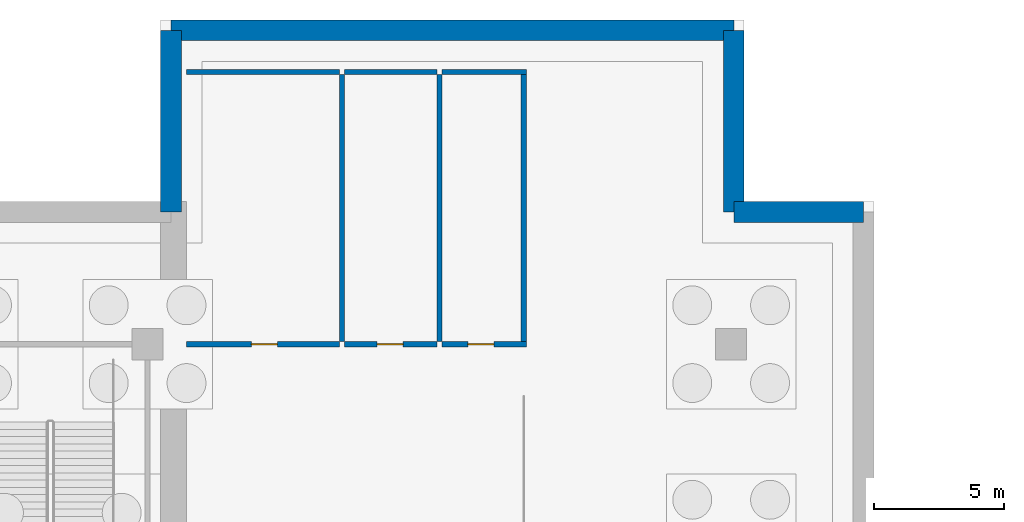
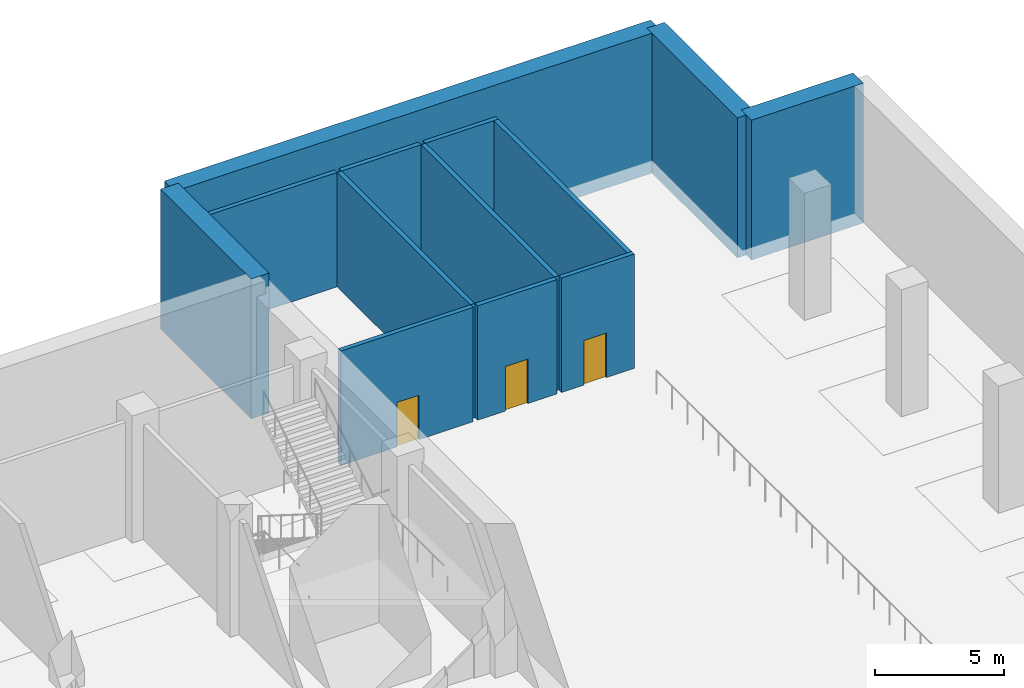
# One storey, part 15 of 39: 13 walls, 3 doors, 3 openings.
"""IFC4 building model written with IfcOpenShell, lengths in metres."""

from ifc_helpers import new_model, si_unit, direction, frame, frame_2d, origin, place, context, subcontext, project, spatial, rectangle, extrude, material, layer, layer_set, type_object, element, fill, save


model = new_model("IFC4")

# Units and contexts
model_context = context("Model", 3, precision=1e-05, world=origin(), true_north=direction((0.0, 1.0)))
body_context = subcontext(model_context, "Body", "Model", "MODEL_VIEW")
ifc_project = project(units=[si_unit("LENGTHUNIT", "METRE"), si_unit("AREAUNIT", "SQUARE_METRE"), si_unit("VOLUMEUNIT", "CUBIC_METRE"), si_unit("PLANEANGLEUNIT", "RADIAN"), si_unit("MASSUNIT", "GRAM", prefix="KILO")], contexts=[model_context])

# Site, building, storey
site_placement = place(None, origin())
site = spatial("IfcSite", under=ifc_project, at=site_placement, CompositionType="ELEMENT")
building_placement = place(site_placement, origin())
building = spatial("IfcBuilding", under=site, at=building_placement, Name="Tamorin Gate", CompositionType="ELEMENT")
storey_placement = place(building_placement, frame((0.0, 0.0, -12.0)))
storey = spatial("IfcBuildingStorey", under=building, at=storey_placement, Name="B2", CompositionType="ELEMENT", Elevation=-12.0)

# Wall, opening, door
ifc_material_1 = material(Name="Concrete masonry C20/25", Category="masonry")
ifc_layer_1 = layer(ifc_material_1, 0.199951171875)
ifc_layer_set_1 = layer_set([ifc_layer_1], Name="Plant room wall 200")
wall_type_1 = type_object("IfcWallType", Name="Plant room wall 200", PredefinedType="PARTITIONING", material=ifc_layer_set_1)
wall_1_placement = place(storey_placement, frame((96.89990234375, 112.0, 0.0), z_axis=(0.0, 0.0, 1.0), x_axis=(-1.0, 0.0, 0.0)))
wall_1 = element("IfcWall", 1, at=wall_1_placement, inside=storey, type_object=wall_type_1, Name="Plant room wall 200 B2", PredefinedType="PARTITIONING", context=body_context, shape_type="SweptSolid", body=[
    extrude(rectangle(XDim=5.89990234375, YDim=0.199951171875, at=frame_2d((2.949951171875, 0.0))), origin(), (0.0, 0.0, 1.0), 5.39990234375),
])
opening_1_placement = place(wall_1_placement, frame((2.39990234375, 0.0, 0.0)))
opening_1 = element("IfcOpeningElement", 2, at=opening_1_placement, cuts=wall_1, Name="Opening DP2", PredefinedType="OPENING", context=body_context, shape_type="SweptSolid", body=[
    extrude(rectangle(XDim=1.0, YDim=2.10009765625, at=frame_2d((0.5, 1.050048828125))), frame((0.0, 0.10986328125, 0.0), z_axis=(0.0, -1.0, 0.0), x_axis=(1.0, 0.0, 0.0)), (0.0, 0.0, 1.0), 0.219970703125),
])
ifc_material_2 = material(Name="Painted steel", Category="steel")
door_type = type_object("IfcDoorType", Name="Door single 1000", OperationType="SINGLE_SWING_LEFT", PredefinedType="DOOR", material=ifc_material_2)
door_1_placement = place(opening_1_placement, origin())
door_1 = element("IfcDoor", 3, at=door_1_placement, inside=storey, type_object=door_type, Name="Door single 1000 B2", OperationType="SINGLE_SWING_LEFT", OverallHeight=2.10009765625, OverallWidth=1.0, PredefinedType="DOOR", context=body_context, shape_type="SweptSolid", body=[
    extrude(rectangle(XDim=1.0, YDim=2.10009765625, at=frame_2d((0.5, 1.050048828125))), frame((0.0, 0.02490234375, 0.0), z_axis=(0.0, -1.0, 0.0), x_axis=(1.0, 0.0, 0.0)), (0.0, 0.0, 1.0), 0.050048828125),
])
fill(opening_1, door_1)

wall_2_placement = place(storey_placement, frame((100.64990234375, 112.0, 0.0), z_axis=(0.0, 0.0, 1.0), x_axis=(-1.0, 0.0, 0.0)))
wall_2 = element("IfcWall", 4, at=wall_2_placement, inside=storey, type_object=wall_type_1, Name="Plant room wall 200 B2", PredefinedType="PARTITIONING", context=body_context, shape_type="SweptSolid", body=[
    extrude(rectangle(XDim=3.5498046875, YDim=0.199951171875, at=frame_2d((1.77490234375, 0.0))), origin(), (0.0, 0.0, 1.0), 5.39990234375),
])
opening_2_placement = place(wall_2_placement, frame((1.300048828125, 0.0, 0.0)))
opening_2 = element("IfcOpeningElement", 5, at=opening_2_placement, cuts=wall_2, Name="Opening DP2", PredefinedType="OPENING", context=body_context, shape_type="SweptSolid", body=[
    extrude(rectangle(XDim=1.0, YDim=2.10009765625, at=frame_2d((0.5, 1.050048828125))), frame((0.0, 0.10986328125, 0.0), z_axis=(0.0, -1.0, 0.0), x_axis=(1.0, 0.0, 0.0)), (0.0, 0.0, 1.0), 0.219970703125),
])
door_2_placement = place(opening_2_placement, origin())
door_2 = element("IfcDoor", 6, at=door_2_placement, inside=storey, type_object=door_type, Name="Door single 1000 B2", OperationType="SINGLE_SWING_LEFT", OverallHeight=2.10009765625, OverallWidth=1.0, PredefinedType="DOOR", context=body_context, shape_type="SweptSolid", body=[
    extrude(rectangle(XDim=1.0, YDim=2.10009765625, at=frame_2d((0.5, 1.050048828125))), frame((0.0, 0.02490234375, 0.0), z_axis=(0.0, -1.0, 0.0), x_axis=(1.0, 0.0, 0.0)), (0.0, 0.0, 1.0), 0.050048828125),
])
fill(opening_2, door_2)

wall_3_placement = place(storey_placement, frame((104.10009765625, 112.0, 0.0), z_axis=(0.0, 0.0, 1.0), x_axis=(-1.0, 0.0, 0.0)))
wall_3 = element("IfcWall", 7, at=wall_3_placement, inside=storey, type_object=wall_type_1, Name="Plant room wall 200 B2", PredefinedType="PARTITIONING", context=body_context, shape_type="SweptSolid", body=[
    extrude(rectangle(XDim=3.25, YDim=0.199951171875, at=frame_2d((1.625, 0.0))), origin(), (0.0, 0.0, 1.0), 5.39990234375),
])
opening_3_placement = place(wall_3_placement, frame((1.25, 0.0, 0.0)))
opening_3 = element("IfcOpeningElement", 8, at=opening_3_placement, cuts=wall_3, Name="Opening DP2", PredefinedType="OPENING", context=body_context, shape_type="SweptSolid", body=[
    extrude(rectangle(XDim=1.0, YDim=2.10009765625, at=frame_2d((0.5, 1.050048828125))), frame((0.0, 0.10986328125, 0.0), z_axis=(0.0, -1.0, 0.0), x_axis=(1.0, 0.0, 0.0)), (0.0, 0.0, 1.0), 0.219970703125),
])
door_3_placement = place(opening_3_placement, origin())
door_3 = element("IfcDoor", 9, at=door_3_placement, inside=storey, type_object=door_type, Name="Door single 1000 B2", OperationType="SINGLE_SWING_LEFT", OverallHeight=2.10009765625, OverallWidth=1.0, PredefinedType="DOOR", context=body_context, shape_type="SweptSolid", body=[
    extrude(rectangle(XDim=1.0, YDim=2.10009765625, at=frame_2d((0.5, 1.050048828125))), frame((0.0, 0.02490234375, 0.0), z_axis=(0.0, -1.0, 0.0), x_axis=(1.0, 0.0, 0.0)), (0.0, 0.0, 1.0), 0.050048828125),
])
fill(opening_3, door_3)

# Walls
wall_4_placement = place(storey_placement, frame((91.0, 122.5, 0.0), z_axis=(0.0, 0.0, 1.0), x_axis=(1.0, 0.0, 0.0)))
element("IfcWall", 10, at=wall_4_placement, inside=storey, type_object=wall_type_1, Name="Plant room wall 200 B2", PredefinedType="PARTITIONING", context=body_context, shape_type="SweptSolid", body=[
    extrude(rectangle(XDim=5.89990234375, YDim=0.199951171875, at=frame_2d((2.949951171875, 0.0))), origin(), (0.0, 0.0, 1.0), 5.39990234375),
])
wall_5_placement = place(storey_placement, frame((97.10009765625, 122.5, 0.0), z_axis=(0.0, 0.0, 1.0), x_axis=(1.0, 0.0, 0.0)))
element("IfcWall", 11, at=wall_5_placement, inside=storey, type_object=wall_type_1, Name="Plant room wall 200 B2", PredefinedType="PARTITIONING", context=body_context, shape_type="SweptSolid", body=[
    extrude(rectangle(XDim=3.5498046875, YDim=0.199951171875, at=frame_2d((1.77490234375, 0.0))), origin(), (0.0, 0.0, 1.0), 5.39990234375),
])
wall_6_placement = place(storey_placement, frame((100.85009765625, 122.5, 0.0), z_axis=(0.0, 0.0, 1.0), x_axis=(1.0, 0.0, 0.0)))
element("IfcWall", 12, at=wall_6_placement, inside=storey, type_object=wall_type_1, Name="Plant room wall 200 B2", PredefinedType="PARTITIONING", context=body_context, shape_type="SweptSolid", body=[
    extrude(rectangle(XDim=3.25, YDim=0.199951171875, at=frame_2d((1.625, 0.0))), origin(), (0.0, 0.0, 1.0), 5.39990234375),
])
for number, where, z_axis, x_axis, name in (
    (13, (104.0, 112.10009765625, 0.0), (0.0, 0.0, 1.0), (0.0, 1.0, 0.0), "Plant room wall 200 B2"),
    (14, (97.0, 112.10009765625, 0.0), (0.0, 0.0, 1.0), (0.0, 1.0, 0.0), "Plant room wall 200 B2"),
    (15, (100.75, 112.10009765625, 0.0), (0.0, 0.0, 1.0), (0.0, 1.0, 0.0), "Plant room wall 200 B2"),
):
    element("IfcWall", number, at=place(storey_placement, frame(where, z_axis=z_axis, x_axis=x_axis)), inside=storey, type_object=wall_type_1, Name=name, PredefinedType="PARTITIONING", context=body_context, shape_type="SweptSolid", body=[
        extrude(rectangle(XDim=10.2998046875, YDim=0.199951171875, at=frame_2d((5.14990234375, 0.0))), origin(), (0.0, 0.0, 1.0), 5.39990234375),
    ])
ifc_material_3 = material(Name="Concrete C40/50", Category="concrete")
ifc_layer_2 = layer(ifc_material_3, 0.800048828125)
ifc_layer_set_2 = layer_set([ifc_layer_2], Name="RC basement wall 800 C40/50")
wall_type_2 = type_object("IfcWallType", Name="RC basement wall 800 C40/50", PredefinedType="SHEAR", material=ifc_layer_set_2)
wall_7_placement = place(storey_placement, frame((90.39990234375, 117.10009765625, -0.60009765625), z_axis=(0.0, 0.0, 1.0), x_axis=(0.0, 1.0, 0.0)))
element("IfcWall", 16, at=wall_7_placement, inside=storey, type_object=wall_type_2, Name="Basement wall B2", PredefinedType="SHEAR", context=body_context, shape_type="SweptSolid", body=[
    extrude(rectangle(XDim=7.0, YDim=0.800048828125, at=frame_2d((3.5, 0.0))), origin(), (0.0, 0.0, 1.0), 6.60009765625),
])
wall_8_placement = place(storey_placement, frame((90.39990234375, 124.10009765625, -0.60009765625), z_axis=(0.0, 0.0, 1.0), x_axis=(1.0, 0.0, 0.0)))
element("IfcWall", 17, at=wall_8_placement, inside=storey, type_object=wall_type_2, Name="Basement wall B2", PredefinedType="SHEAR", context=body_context, shape_type="SweptSolid", body=[
    extrude(rectangle(XDim=21.7001953125, YDim=0.800048828125, at=frame_2d((10.85009765625, 0.0))), origin(), (0.0, 0.0, 1.0), 6.60009765625),
])
wall_9_placement = place(storey_placement, frame((112.10009765625, 124.10009765625, -0.60009765625), z_axis=(0.0, 0.0, 1.0), x_axis=(0.0, -1.0, 0.0)))
element("IfcWall", 18, at=wall_9_placement, inside=storey, type_object=wall_type_2, Name="Basement wall B2", PredefinedType="SHEAR", context=body_context, shape_type="SweptSolid", body=[
    extrude(rectangle(XDim=7.0, YDim=0.800048828125, at=frame_2d((3.5, 0.0))), origin(), (0.0, 0.0, 1.0), 6.60009765625),
])
wall_10_placement = place(storey_placement, frame((112.10009765625, 117.10009765625, -0.60009765625), z_axis=(0.0, 0.0, 1.0), x_axis=(1.0, 0.0, 0.0)))
element("IfcWall", 19, at=wall_10_placement, inside=storey, type_object=wall_type_2, Name="Basement wall B2", PredefinedType="SHEAR", context=body_context, shape_type="SweptSolid", body=[
    extrude(rectangle(XDim=5.0, YDim=0.800048828125, at=frame_2d((2.5, 0.0))), origin(), (0.0, 0.0, 1.0), 6.60009765625),
])

save(model, "model.ifc")
